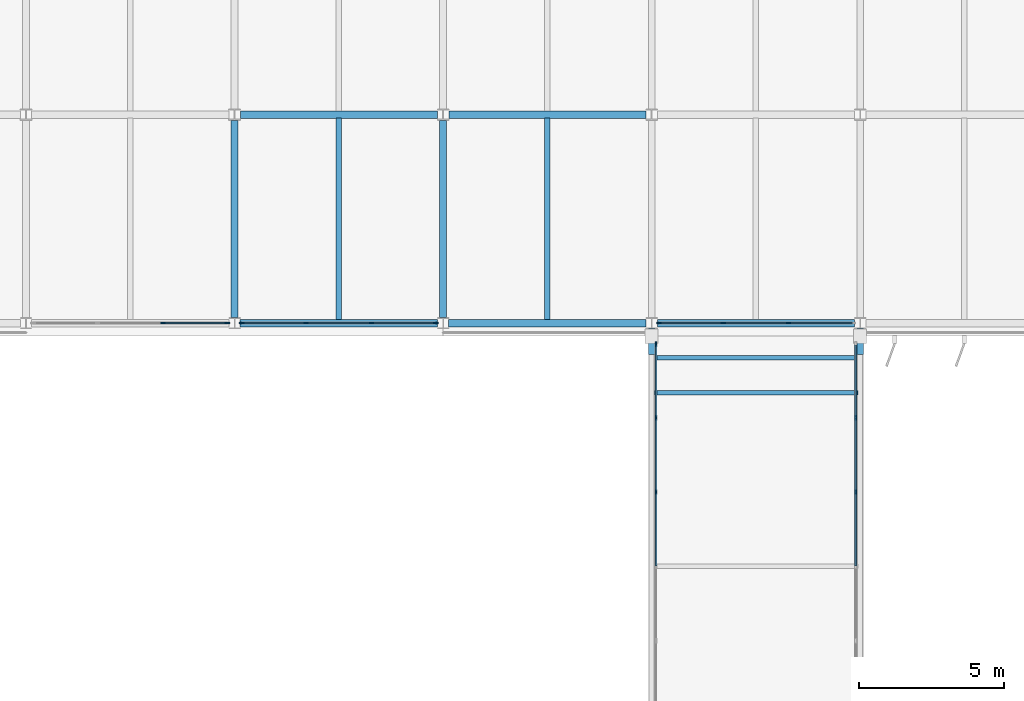
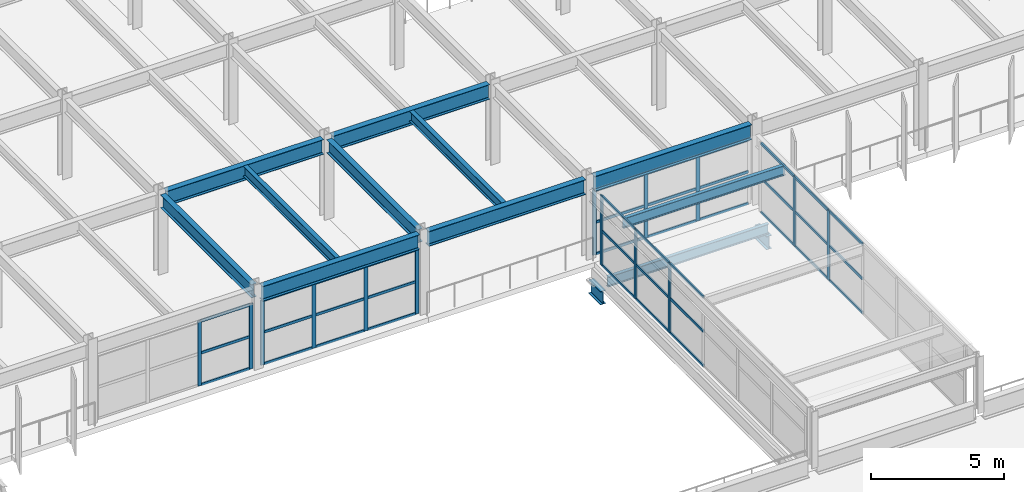
# One storey, part 27 of 93: 53 members, 13 beams, 5 elements without a shape of their own.
"""IFC4 building model written with IfcOpenShell, lengths in metres."""

import ifcopenshell
import ifcopenshell.guid

model = None  # the IFC model being written
_history = None  # IfcOwnerHistory: only IFC2X3 demands one
_inside = {}  # id of a spatial element -> (the spatial element, [elements in it])
_under = {}  # id of a project, library or spatial element -> (it, [spatial elements below it])
_declared = {}  # id of a project -> (the project, [libraries it declares])
_typed = {}  # id of a type object -> (the type object, [elements of that type])
_made_of = {}  # id of a material, layer set ... -> (it, [elements and type objects made of it])


def new_model(schema):
    """Start an empty IFC model of exactly this schema.

    Asked for "IFC4X3", IfcOpenShell would pick the latest addendum, in which some entities
    have other attributes; the version numbers below select the first issue.
    IFC2X3 requires an IfcOwnerHistory on every rooted entity: one is made here for all.
    """
    global model, _history
    if schema == "IFC4X3":
        model = ifcopenshell.file(schema_version=(4, 3, 0, 0))
    else:
        model = ifcopenshell.file(schema=schema)
    _inside.clear()
    _under.clear()
    _declared.clear()
    _typed.clear()
    _made_of.clear()
    _history = None
    if model.schema == "IFC2X3":
        org = make("IfcOrganization", Name="unknown")
        user = make(
            "IfcPersonAndOrganization",
            ThePerson=make("IfcPerson", FamilyName="unknown"),
            TheOrganization=org,
        )
        app = make(
            "IfcApplication",
            ApplicationDeveloper=org,
            Version="unknown",
            ApplicationFullName="unknown",
            ApplicationIdentifier="unknown",
        )
        _history = make(
            "IfcOwnerHistory",
            OwningUser=user,
            OwningApplication=app,
            ChangeAction="ADDED",
            CreationDate=0,
        )
    return model


def make(cls, **values):
    """One entity of the class cls with the attributes given. An attribute that is None is left unset."""
    return model.create_entity(
        cls, **{name: value for name, value in values.items() if value is not None}
    )


def rooted(cls, **values):
    """An entity with a GlobalId (a new one), such as an element, a storey or a relation."""
    return make(cls, GlobalId=ifcopenshell.guid.new(), OwnerHistory=_history, **values)


def si_unit(unit_type, name, prefix=None):
    """IfcSIUnit, for example si_unit("LENGTHUNIT", "METRE", prefix="MILLI")."""
    return make("IfcSIUnit", UnitType=unit_type, Prefix=prefix, Name=name)


def assignment(units):
    """IfcUnitAssignment: the units of a project."""
    return None if units is None else make("IfcUnitAssignment", Units=units)


def point(xyz):
    """IfcCartesianPoint."""
    return None if xyz is None else make("IfcCartesianPoint", Coordinates=xyz)


def direction(xyz):
    """IfcDirection."""
    return None if xyz is None else make("IfcDirection", DirectionRatios=xyz)


def frame(location, z_axis=None, x_axis=None):
    """IfcAxis2Placement3D, a coordinate frame: its origin and axes. An axis left out is left unset."""
    return make(
        "IfcAxis2Placement3D",
        Location=point(location),
        Axis=direction(z_axis),
        RefDirection=direction(x_axis),
    )


def frame_2d(location, x_axis=None):
    """IfcAxis2Placement2D, a coordinate frame in the plane: its origin and x axis."""
    return make(
        "IfcAxis2Placement2D", Location=point(location), RefDirection=direction(x_axis)
    )


def origin():
    """The frame at (0, 0, 0) with its axes left unset."""
    return frame((0.0, 0.0, 0.0))


def origin_2d():
    """The frame at (0, 0) in the plane with its x axis left unset."""
    return frame_2d((0.0, 0.0))


def place(relative_to, where):
    """IfcLocalPlacement: puts the frame where relative to a parent placement (None: the world)."""
    return make(
        "IfcLocalPlacement", PlacementRelTo=relative_to, RelativePlacement=where
    )


def context(
    kind, dimensions, precision=None, world=None, true_north=None, identifier=None
):
    """IfcGeometricRepresentationContext, for example the 3D "Model" context."""
    return make(
        "IfcGeometricRepresentationContext",
        ContextIdentifier=identifier,
        ContextType=kind,
        CoordinateSpaceDimension=dimensions,
        Precision=precision,
        WorldCoordinateSystem=world,
        TrueNorth=true_north,
    )


def subcontext(parent, identifier, kind, view, scale=None):
    """IfcGeometricRepresentationSubContext, for example "Body" below "Model"."""
    return make(
        "IfcGeometricRepresentationSubContext",
        ContextIdentifier=identifier,
        ContextType=kind,
        ParentContext=parent,
        TargetScale=scale,
        TargetView=view,
    )


def project(units=None, contexts=None):
    """IfcProject with its units and contexts."""
    return rooted(
        "IfcProject",
        Name="project",
        RepresentationContexts=contexts,
        UnitsInContext=assignment(units),
    )


def spatial(cls, under=None, at=None, **own):
    """A site, building, storey or space (cls), placed at a placement, below another one or the project."""
    s = rooted(cls, ObjectPlacement=at, **own)
    if under is not None:
        _under.setdefault(under.id(), (under, []))[1].append(s)
    return s


def profile(cls, at=None, kind="AREA", **sizes):
    """A parametric profile (cls). Its sizes go by their IFC names, for example OverallWidth=200.0."""
    return make(cls, ProfileType=kind, Position=at, **sizes)


def rectangle(**sizes):
    """IfcRectangleProfileDef."""
    return profile("IfcRectangleProfileDef", **sizes)


def i_section(**sizes):
    """IfcIShapeProfileDef."""
    return profile("IfcIShapeProfileDef", **sizes)


def extrude(swept, where, along, depth):
    """IfcExtrudedAreaSolid: the profile swept, set in the frame where, extruded along a direction by depth."""
    return make(
        "IfcExtrudedAreaSolid",
        SweptArea=swept,
        Position=where,
        ExtrudedDirection=direction(along),
        Depth=depth,
    )


def shape(context_of_items, identifier, shape_type, items):
    """IfcShapeRepresentation: the items that make up one representation, for example the "Body"."""
    return make(
        "IfcShapeRepresentation",
        ContextOfItems=context_of_items,
        RepresentationIdentifier=identifier,
        RepresentationType=shape_type,
        Items=items,
    )


def material(Name=None, Category=None):
    """IfcMaterial."""
    return make("IfcMaterial", Name=Name, Category=Category)


def material_profile(
    of_material, cross_section, Name=None, Category=None, Priority=None
):
    """IfcMaterialProfile: a cross section and its material."""
    return make(
        "IfcMaterialProfile",
        Name=Name,
        Material=of_material,
        Profile=cross_section,
        Priority=Priority,
        Category=Category,
    )


def profile_set(profiles, Name=None, composite=None):
    """IfcMaterialProfileSet."""
    return make(
        "IfcMaterialProfileSet",
        Name=Name,
        MaterialProfiles=profiles,
        CompositeProfile=composite,
    )


def made_of(thing, what):
    """Note that an element or type object is made of a material, layer set ...; save() writes the relation."""
    if what is not None:
        _made_of.setdefault(what.id(), (what, []))[1].append(thing)
    return thing


def type_object(cls, material=None, **own):
    """A type object (cls), such as IfcWallType, which elements share."""
    return made_of(rooted(cls, **own), material)


def element(
    cls,
    number,
    at=None,
    inside=None,
    cuts=None,
    type_object=None,
    material=None,
    context=None,
    identifier="Body",
    shape_type=None,
    held_by="IfcProductDefinitionShape",
    body=None,
    shapes=None,
    **own,
):
    """One element of the class cls, such as IfcWall. Its Tag is "e" and its number.

    at: its placement. inside: the storey or other place that contains it. cuts: it is an
    opening in that element (IfcRelVoidsElement). A single representation is given by context,
    identifier, shape_type and body (its items); several are given by shapes. held_by: the class
    of the entity that holds the representations. save() writes the other relations.
    """
    e = rooted(cls, Tag="e%d" % number, ObjectPlacement=at, **own)
    if body is not None:
        shapes = [shape(context, identifier, shape_type, body)]
    if shapes is not None:
        e.Representation = make(held_by, Representations=shapes)
    if inside is not None:
        _inside.setdefault(inside.id(), (inside, []))[1].append(e)
    if cuts is not None:
        rooted(
            "IfcRelVoidsElement", RelatingBuildingElement=cuts, RelatedOpeningElement=e
        )
    if type_object is not None:
        _typed.setdefault(type_object.id(), (type_object, []))[1].append(e)
    return made_of(e, material)


def aggregate(whole, parts):
    """IfcRelAggregates: a whole, such as a stair, and the parts it consists of."""
    return rooted("IfcRelAggregates", RelatingObject=whole, RelatedObjects=parts)


def save(model, path):
    """Write the relations noted so far, then the file.

    IfcRelAggregates (storeys below a building ...), IfcRelContainedInSpatialStructure (elements
    in a storey), IfcRelDefinesByType, IfcRelAssociatesMaterial and IfcRelDeclares: one each for
    every whole, place, type object, material and project.
    """
    for whole, parts in _under.values():
        aggregate(whole, parts)
    for where, things in _inside.values():
        rooted(
            "IfcRelContainedInSpatialStructure",
            RelatedElements=things,
            RelatingStructure=where,
        )
    for kind, things in _typed.values():
        rooted("IfcRelDefinesByType", RelatedObjects=things, RelatingType=kind)
    for what, things in _made_of.values():
        rooted("IfcRelAssociatesMaterial", RelatedObjects=things, RelatingMaterial=what)
    for by, libraries in _declared.values():
        rooted("IfcRelDeclares", RelatingContext=by, RelatedDefinitions=libraries)
    model.write(path)


model = new_model("IFC4")

# Units and contexts
model_context = context("Model", 3, precision=1e-05, world=origin(), true_north=direction((0.0, 1.0)))
body_context = subcontext(model_context, "Body", "Model", "MODEL_VIEW")
ifc_project = project(units=[si_unit("LENGTHUNIT", "METRE"), si_unit("AREAUNIT", "SQUARE_METRE"), si_unit("VOLUMEUNIT", "CUBIC_METRE"), si_unit("PLANEANGLEUNIT", "RADIAN"), si_unit("MASSUNIT", "GRAM", prefix="KILO")], contexts=[model_context])

# Site, building, storey
site_placement = place(None, origin())
site = spatial("IfcSite", under=ifc_project, at=site_placement, CompositionType="ELEMENT")
building_placement = place(site_placement, origin())
building = spatial("IfcBuilding", under=site, at=building_placement, Name="Vaelcorin Mobility Hub", CompositionType="ELEMENT")
storey_placement = place(building_placement, frame((0.0, 0.0, 5.39990234375)))
storey = spatial("IfcBuildingStorey", under=building, at=storey_placement, Name="L01", CompositionType="ELEMENT", Elevation=5.39990234375)

# Beams
ifc_material_1 = material(Name="Steel ASTM A992 Grade 50", Category="steel")
ifc_material_profile_1 = material_profile(ifc_material_1, i_section(OverallWidth=0.152099609375, OverallDepth=0.455078125, WebThickness=0.008056640625, FlangeThickness=0.01318359375, FilletRadius=0.012939453125, at=origin_2d()), Name="W18X40")
ifc_profile_set_1 = profile_set([ifc_material_profile_1], Name="Steel ASTM A992 Grade 50")
beam_type_1 = type_object("IfcBeamType", Name="BM-W18X40", PredefinedType="JOIST", material=ifc_profile_set_1)
beam_1_placement = place(storey_placement, frame((86.511962890625, 75.60009765625, -0.447998046875), z_axis=(1.0, 0.0, 0.0), x_axis=(0.0, 1.0, 0.0)))
element("IfcBeam", 1, at=beam_1_placement, inside=storey, type_object=beam_type_1, Name="Link Bridge Floor Cross Beam LB2-BX-3", PredefinedType="JOIST", context=body_context, shape_type="SweptSolid", body=[
    extrude(i_section(OverallWidth=0.152099609375, OverallDepth=0.455078125, WebThickness=0.008056640625, FlangeThickness=0.01318359375, FilletRadius=0.012939453125, at=origin_2d()), origin(), (0.0, 0.0, 1.0), 6.97607421875),
])
beam_2_placement = place(storey_placement, frame((86.48095703125, 74.39990234375, 2.97216796875), z_axis=(1.0, 0.0, 0.0), x_axis=(0.0, 1.0, 0.0)))
element("IfcBeam", 2, at=beam_2_placement, inside=storey, type_object=beam_type_1, Name="L01 Beam LB2-RFX-3", PredefinedType="JOIST", context=body_context, shape_type="SweptSolid", body=[
    extrude(i_section(OverallWidth=0.152099609375, OverallDepth=0.455078125, WebThickness=0.008056640625, FlangeThickness=0.01318359375, FilletRadius=0.012939453125, at=origin_2d()), origin(), (0.0, 0.0, 1.0), 7.0380859375),
])
ifc_material_profile_2 = material_profile(ifc_material_1, i_section(OverallWidth=0.19189453125, OverallDepth=0.4619140625, WebThickness=0.010498046875, FlangeThickness=0.017578125, FilletRadius=0.012939453125, at=origin_2d()), Name="W18X60")
ifc_profile_set_2 = profile_set([ifc_material_profile_2], Name="Steel ASTM A992 Grade 50")
beam_type_2 = type_object("IfcBeamType", Name="BM-W18X60", PredefinedType="JOIST", material=ifc_profile_set_2)
for number, where, z_axis, x_axis, name in (
    (3, (75.60009765625, 76.925048828125, 3.439208984375), (0.0, 1.0, 0.0), (-1.0, 0.0, 0.0), "L01 Beam V4-L01-J-06-01-1"),
    (4, (82.800048828125, 76.925048828125, 3.439208984375), (0.0, 1.0, 0.0), (-1.0, 0.0, 0.0), "L01 Beam V4-L01-J-07-01-1"),
):
    element("IfcBeam", number, at=place(storey_placement, frame(where, z_axis=z_axis, x_axis=x_axis)), inside=storey, type_object=beam_type_2, Name=name, PredefinedType="JOIST", context=body_context, shape_type="SweptSolid", body=[
        extrude(i_section(OverallWidth=0.19189453125, OverallDepth=0.4619140625, WebThickness=0.010498046875, FlangeThickness=0.017578125, FilletRadius=0.012939453125, at=origin_2d()), origin(), (0.0, 0.0, 1.0), 6.949951171875),
    ])
ifc_material_profile_3 = material_profile(ifc_material_1, i_section(OverallWidth=0.22900390625, OverallDepth=0.612060546875, WebThickness=0.011962890625, FlangeThickness=0.01953125, FilletRadius=0.014892578125, at=origin_2d()), Name="W24X84")
ifc_profile_set_3 = profile_set([ifc_material_profile_3], Name="Steel ASTM A992 Grade 50")
beam_type_3 = type_object("IfcBeamType", Name="BM-W24X84", PredefinedType="BEAM", material=ifc_profile_set_3)
for number, where, z_axis, x_axis, name in (
    (5, (72.0, 76.988037109375, 3.364013671875), (0.0, 1.0, 0.0), (-1.0, 0.0, 0.0), "L01 Beam V4-L01-GY-06-01"),
    (6, (79.199951171875, 76.988037109375, 3.364013671875), (0.0, 1.0, 0.0), (-1.0, 0.0, 0.0), "L01 Beam V4-L01-GY-07-01"),
):
    element("IfcBeam", number, at=place(storey_placement, frame(where, z_axis=z_axis, x_axis=x_axis)), inside=storey, type_object=beam_type_3, Name=name, PredefinedType="BEAM", context=body_context, shape_type="SweptSolid", body=[
        extrude(i_section(OverallWidth=0.22900390625, OverallDepth=0.612060546875, WebThickness=0.011962890625, FlangeThickness=0.01953125, FilletRadius=0.014892578125, at=origin_2d()), origin(), (0.0, 0.0, 1.0), 6.81689453125),
    ])
for number, where, z_axis, x_axis, name in (
    (7, (86.39990234375, 76.610107421875, -1.218017578125), (0.0, -1.0, 0.0), (1.0, 0.0, 0.0), "Link Bridge 900mm Bearing Seat Corbel LB2-W"),
    (8, (93.60009765625, 76.610107421875, -1.218017578125), (0.0, -1.0, 0.0), (1.0, 0.0, 0.0), "Link Bridge 900mm Bearing Seat Corbel LB2-E"),
):
    element("IfcBeam", number, at=place(storey_placement, frame(where, z_axis=z_axis, x_axis=x_axis)), inside=storey, type_object=beam_type_3, Name=name, PredefinedType="BEAM", context=body_context, shape_type="SweptSolid", body=[
        extrude(i_section(OverallWidth=0.22900390625, OverallDepth=0.612060546875, WebThickness=0.011962890625, FlangeThickness=0.01953125, FilletRadius=0.014892578125, at=origin_2d()), origin(), (0.0, 0.0, 1.0), 0.900146484375),
    ])
ifc_material_profile_4 = material_profile(ifc_material_1, i_section(OverallWidth=0.25390625, OverallDepth=0.68310546875, WebThickness=0.012451171875, FlangeThickness=0.018798828125, FilletRadius=0.01611328125, at=origin_2d()), Name="W27X94")
ifc_profile_set_4 = profile_set([ifc_material_profile_4], Name="Steel ASTM A992 Grade 50")
beam_type_4 = type_object("IfcBeamType", Name="BM-W27X94", PredefinedType="BEAM", material=ifc_profile_set_4)
beam_3_placement = place(storey_placement, frame((72.196044921875, 76.800048828125, 3.328125), z_axis=(1.0, 0.0, 0.0), x_axis=(0.0, 1.0, 0.0)))
element("IfcBeam", 9, at=beam_3_placement, inside=storey, type_object=beam_type_4, Name="L01 Beam V4-L01-GX-01-06", PredefinedType="BEAM", context=body_context, shape_type="SweptSolid", body=[
    extrude(i_section(OverallWidth=0.25390625, OverallDepth=0.68310546875, WebThickness=0.012451171875, FlangeThickness=0.018798828125, FilletRadius=0.01611328125, at=origin_2d()), origin(), (0.0, 0.0, 1.0), 6.807861328125),
])
for number, where, z_axis, x_axis, name in (
    (10, (79.39599609375, 76.800048828125, 3.328125), (1.0, 0.0, 0.0), (0.0, 1.0, 0.0), "L01 Beam V4-L01-GX-01-07"),
    (11, (86.595947265625, 76.800048828125, 3.328125), (1.0, 0.0, 0.0), (0.0, 1.0, 0.0), "L01 Beam V4-L01-GX-01-08"),
):
    element("IfcBeam", number, at=place(storey_placement, frame(where, z_axis=z_axis, x_axis=x_axis)), inside=storey, type_object=beam_type_4, Name=name, PredefinedType="BEAM", context=body_context, shape_type="SweptSolid", body=[
        extrude(i_section(OverallWidth=0.25390625, OverallDepth=0.68310546875, WebThickness=0.012451171875, FlangeThickness=0.018798828125, FilletRadius=0.01611328125, at=origin_2d()), origin(), (0.0, 0.0, 1.0), 6.80810546875),
    ])
for number, where, z_axis, x_axis, name in (
    (12, (72.197998046875, 84.0, 3.328125), (1.0, 0.0, 0.0), (0.0, 1.0, 0.0), "L01 Beam V4-L01-GX-02-06"),
    (13, (79.39794921875, 84.0, 3.328125), (1.0, 0.0, 0.0), (0.0, 1.0, 0.0), "L01 Beam V4-L01-GX-02-07"),
):
    element("IfcBeam", number, at=place(storey_placement, frame(where, z_axis=z_axis, x_axis=x_axis)), inside=storey, type_object=beam_type_4, Name=name, PredefinedType="BEAM", context=body_context, shape_type="SweptSolid", body=[
        extrude(i_section(OverallWidth=0.25390625, OverallDepth=0.68310546875, WebThickness=0.012451171875, FlangeThickness=0.018798828125, FilletRadius=0.01611328125, at=origin_2d()), origin(), (0.0, 0.0, 1.0), 6.803955078125),
    ])

# Curtain wall, members
ifc_material_2 = material(Name="Anodised aluminium 6063-T6", Category="aluminium")
curtain_wall_type_1 = type_object("IfcCurtainWallType", Name="CW-MOB-A", PredefinedType="NOTDEFINED", material=ifc_material_2)
curtain_wall_1_placement = place(storey_placement, origin())
curtain_wall_1 = element("IfcCurtainWall", 14, at=curtain_wall_1_placement, inside=storey, type_object=curtain_wall_type_1, Name="L01 Curtain Wall CW-V4-L01-S-05", PredefinedType="NOTDEFINED")
ifc_material_profile_5 = material_profile(ifc_material_2, rectangle(XDim=0.06005859375, YDim=0.159912109375, at=origin_2d()), Name="ALU-M60X160")
ifc_profile_set_5 = profile_set([ifc_material_profile_5], Name="Anodised aluminium 6063-T6")
member_type_1 = type_object("IfcMemberType", Name="CW-MULL-160", PredefinedType="MULLION", material=ifc_profile_set_5)
member_1_placement = place(storey_placement, frame((71.75, 76.800048828125, 0.0), z_axis=(0.0, 0.0, 1.0), x_axis=(0.0, -1.0, 0.0)))
member_1 = element("IfcMember", 15, at=member_1_placement, type_object=member_type_1, Name="CW7 mullion 1", PredefinedType="MULLION", context=body_context, shape_type="SweptSolid", body=[
    extrude(rectangle(XDim=0.06005859375, YDim=0.159912109375, at=origin_2d()), origin(), (0.0, 0.0, 1.0), 2.97216796875),
])
member_2_placement = place(storey_placement, frame((69.526611328125, 76.800048828125, 0.0), z_axis=(0.0, 0.0, 1.0), x_axis=(0.0, -1.0, 0.0)))
member_2 = element("IfcMember", 16, at=member_2_placement, type_object=member_type_1, Name="CW7 mullion 2", PredefinedType="MULLION", context=body_context, shape_type="SweptSolid", body=[
    extrude(rectangle(XDim=0.06005859375, YDim=0.159912109375, at=origin_2d()), origin(), (0.0, 0.0, 1.0), 2.97216796875),
])

curtain_wall_2_placement = place(storey_placement, origin())
curtain_wall_2 = element("IfcCurtainWall", 17, at=curtain_wall_2_placement, inside=storey, type_object=curtain_wall_type_1, Name="L01 Curtain Wall CW-V4-L01-S-06", PredefinedType="NOTDEFINED")
member_3_placement = place(storey_placement, frame((78.949951171875, 76.800048828125, 0.0), z_axis=(0.0, 0.0, 1.0), x_axis=(0.0, -1.0, 0.0)))
member_3 = element("IfcMember", 18, at=member_3_placement, type_object=member_type_1, Name="CW7 mullion 1", PredefinedType="MULLION", context=body_context, shape_type="SweptSolid", body=[
    extrude(rectangle(XDim=0.06005859375, YDim=0.159912109375, at=origin_2d()), origin(), (0.0, 0.0, 1.0), 2.97216796875),
])
member_4_placement = place(storey_placement, frame((76.7265625, 76.800048828125, 0.0), z_axis=(0.0, 0.0, 1.0), x_axis=(0.0, -1.0, 0.0)))
member_4 = element("IfcMember", 19, at=member_4_placement, type_object=member_type_1, Name="CW7 mullion 2", PredefinedType="MULLION", context=body_context, shape_type="SweptSolid", body=[
    extrude(rectangle(XDim=0.06005859375, YDim=0.159912109375, at=origin_2d()), origin(), (0.0, 0.0, 1.0), 2.97216796875),
])
member_5_placement = place(storey_placement, frame((74.473388671875, 76.800048828125, 0.0), z_axis=(0.0, 0.0, 1.0), x_axis=(0.0, -1.0, 0.0)))
member_5 = element("IfcMember", 20, at=member_5_placement, type_object=member_type_1, Name="CW7 mullion 3", PredefinedType="MULLION", context=body_context, shape_type="SweptSolid", body=[
    extrude(rectangle(XDim=0.06005859375, YDim=0.159912109375, at=origin_2d()), origin(), (0.0, 0.0, 1.0), 2.97216796875),
])
member_6_placement = place(storey_placement, frame((72.25, 76.800048828125, 0.0), z_axis=(0.0, 0.0, 1.0), x_axis=(0.0, -1.0, 0.0)))
member_6 = element("IfcMember", 21, at=member_6_placement, type_object=member_type_1, Name="CW7 mullion 4", PredefinedType="MULLION", context=body_context, shape_type="SweptSolid", body=[
    extrude(rectangle(XDim=0.06005859375, YDim=0.159912109375, at=origin_2d()), origin(), (0.0, 0.0, 1.0), 2.97216796875),
])

curtain_wall_3_placement = place(storey_placement, origin())
curtain_wall_3 = element("IfcCurtainWall", 22, at=curtain_wall_3_placement, inside=storey, type_object=curtain_wall_type_1, Name="L01 Curtain Wall CW-V4-L01-S-08", PredefinedType="NOTDEFINED")
member_7_placement = place(storey_placement, frame((91.126708984375, 76.800048828125, 0.0), z_axis=(0.0, 0.0, 1.0), x_axis=(0.0, -1.0, 0.0)))
member_7 = element("IfcMember", 23, at=member_7_placement, type_object=member_type_1, Name="CW7 mullion 2", PredefinedType="MULLION", context=body_context, shape_type="SweptSolid", body=[
    extrude(rectangle(XDim=0.06005859375, YDim=0.159912109375, at=origin_2d()), origin(), (0.0, 0.0, 1.0), 2.97216796875),
])
member_8_placement = place(storey_placement, frame((88.873291015625, 76.800048828125, 0.0), z_axis=(0.0, 0.0, 1.0), x_axis=(0.0, -1.0, 0.0)))
member_8 = element("IfcMember", 24, at=member_8_placement, type_object=member_type_1, Name="CW7 mullion 3", PredefinedType="MULLION", context=body_context, shape_type="SweptSolid", body=[
    extrude(rectangle(XDim=0.06005859375, YDim=0.159912109375, at=origin_2d()), origin(), (0.0, 0.0, 1.0), 2.97216796875),
])
member_9_placement = place(storey_placement, frame((86.64990234375, 76.800048828125, 0.0), z_axis=(0.0, 0.0, 1.0), x_axis=(0.0, -1.0, 0.0)))
member_9 = element("IfcMember", 25, at=member_9_placement, type_object=member_type_1, Name="CW7 mullion 4", PredefinedType="MULLION", context=body_context, shape_type="SweptSolid", body=[
    extrude(rectangle(XDim=0.06005859375, YDim=0.159912109375, at=origin_2d()), origin(), (0.0, 0.0, 1.0), 2.97216796875),
])

curtain_wall_type_2 = type_object("IfcCurtainWallType", Name="CW-BRG-A", PredefinedType="NOTDEFINED", material=ifc_material_2)
curtain_wall_4_placement = place(storey_placement, origin())
curtain_wall_4 = element("IfcCurtainWall", 26, at=curtain_wall_4_placement, inside=storey, type_object=curtain_wall_type_2, Name="L01 Curtain Wall CW-LB2-W", PredefinedType="NOTDEFINED")
member_10_placement = place(storey_placement, frame((86.550048828125, 70.966552734375, 0.0), z_axis=(0.0, 0.0, 1.0), x_axis=(-1.0, 0.0, 0.0)))
member_10 = element("IfcMember", 27, at=member_10_placement, type_object=member_type_1, Name="CW8 mullion 5", PredefinedType="MULLION", context=body_context, shape_type="SweptSolid", body=[
    extrude(rectangle(XDim=0.06005859375, YDim=0.159912109375, at=origin_2d()), origin(), (0.0, 0.0, 1.0), 3.2001953125),
])
member_11_placement = place(storey_placement, frame((86.550048828125, 73.533447265625, 0.0), z_axis=(0.0, 0.0, 1.0), x_axis=(-1.0, 0.0, 0.0)))
member_11 = element("IfcMember", 28, at=member_11_placement, type_object=member_type_1, Name="CW8 mullion 6", PredefinedType="MULLION", context=body_context, shape_type="SweptSolid", body=[
    extrude(rectangle(XDim=0.06005859375, YDim=0.159912109375, at=origin_2d()), origin(), (0.0, 0.0, 1.0), 3.2001953125),
])
member_12_placement = place(storey_placement, frame((86.550048828125, 76.070068359375, 0.0), z_axis=(0.0, 0.0, 1.0), x_axis=(-1.0, 0.0, 0.0)))
member_12 = element("IfcMember", 29, at=member_12_placement, type_object=member_type_1, Name="CW8 mullion 7", PredefinedType="MULLION", context=body_context, shape_type="SweptSolid", body=[
    extrude(rectangle(XDim=0.06005859375, YDim=0.159912109375, at=origin_2d()), origin(), (0.0, 0.0, 1.0), 3.2001953125),
])

curtain_wall_5_placement = place(storey_placement, origin())
curtain_wall_5 = element("IfcCurtainWall", 30, at=curtain_wall_5_placement, inside=storey, type_object=curtain_wall_type_2, Name="L01 Curtain Wall CW-LB2-E", PredefinedType="NOTDEFINED")
member_13_placement = place(storey_placement, frame((93.449951171875, 73.533447265625, 0.0), z_axis=(0.0, 0.0, 1.0), x_axis=(1.0, 0.0, 0.0)))
member_13 = element("IfcMember", 31, at=member_13_placement, type_object=member_type_1, Name="CW8 mullion 2", PredefinedType="MULLION", context=body_context, shape_type="SweptSolid", body=[
    extrude(rectangle(XDim=0.06005859375, YDim=0.159912109375, at=origin_2d()), origin(), (0.0, 0.0, 1.0), 3.2001953125),
])
member_14_placement = place(storey_placement, frame((93.449951171875, 70.966552734375, 0.0), z_axis=(0.0, 0.0, 1.0), x_axis=(1.0, 0.0, 0.0)))
member_14 = element("IfcMember", 32, at=member_14_placement, type_object=member_type_1, Name="CW8 mullion 3", PredefinedType="MULLION", context=body_context, shape_type="SweptSolid", body=[
    extrude(rectangle(XDim=0.06005859375, YDim=0.159912109375, at=origin_2d()), origin(), (0.0, 0.0, 1.0), 3.2001953125),
])

# Member
ifc_material_profile_6 = material_profile(ifc_material_2, rectangle(XDim=0.06005859375, YDim=0.1201171875, at=origin_2d()), Name="ALU-T60X120")
ifc_profile_set_6 = profile_set([ifc_material_profile_6], Name="Anodised aluminium 6063-T6")
member_type_2 = type_object("IfcMemberType", Name="CW-TRAN-140", PredefinedType="USERDEFINED", material=ifc_profile_set_6)
member_15_placement = place(storey_placement, frame((71.719970703125, 76.800048828125, 0.030029296875), z_axis=(-1.0, 0.0, 0.0), x_axis=(0.0, -1.0, 0.0)))
member_15 = element("IfcMember", 33, at=member_15_placement, type_object=member_type_2, Name="CW7 transom 1.1", ObjectType="TRANSOM", PredefinedType="USERDEFINED", context=body_context, shape_type="SweptSolid", body=[
    extrude(rectangle(XDim=0.06005859375, YDim=0.1201171875, at=origin_2d()), origin(), (0.0, 0.0, 1.0), 2.163330078125),
])

member_16_placement = place(storey_placement, frame((71.719970703125, 76.800048828125, 1.486083984375), z_axis=(-1.0, 0.0, 0.0), x_axis=(0.0, -1.0, 0.0)))
member_16 = element("IfcMember", 34, at=member_16_placement, type_object=member_type_2, Name="CW7 transom 1.2", ObjectType="TRANSOM", PredefinedType="USERDEFINED", context=body_context, shape_type="SweptSolid", body=[
    extrude(rectangle(XDim=0.06005859375, YDim=0.1201171875, at=origin_2d()), origin(), (0.0, 0.0, 1.0), 2.163330078125),
])

member_17_placement = place(storey_placement, frame((71.719970703125, 76.800048828125, 2.942138671875), z_axis=(-1.0, 0.0, 0.0), x_axis=(0.0, -1.0, 0.0)))
member_17 = element("IfcMember", 35, at=member_17_placement, type_object=member_type_2, Name="CW7 transom 1.3", ObjectType="TRANSOM", PredefinedType="USERDEFINED", context=body_context, shape_type="SweptSolid", body=[
    extrude(rectangle(XDim=0.06005859375, YDim=0.1201171875, at=origin_2d()), origin(), (0.0, 0.0, 1.0), 2.163330078125),
])

aggregate(curtain_wall_1, [member_1, member_2, member_15, member_16, member_17])

member_18_placement = place(storey_placement, frame((78.919921875, 76.800048828125, 0.030029296875), z_axis=(-1.0, 0.0, 0.0), x_axis=(0.0, -1.0, 0.0)))
member_18 = element("IfcMember", 36, at=member_18_placement, type_object=member_type_2, Name="CW7 transom 1.1", ObjectType="TRANSOM", PredefinedType="USERDEFINED", context=body_context, shape_type="SweptSolid", body=[
    extrude(rectangle(XDim=0.06005859375, YDim=0.1201171875, at=origin_2d()), origin(), (0.0, 0.0, 1.0), 2.163330078125),
])

member_19_placement = place(storey_placement, frame((78.919921875, 76.800048828125, 1.486083984375), z_axis=(-1.0, 0.0, 0.0), x_axis=(0.0, -1.0, 0.0)))
member_19 = element("IfcMember", 37, at=member_19_placement, type_object=member_type_2, Name="CW7 transom 1.2", ObjectType="TRANSOM", PredefinedType="USERDEFINED", context=body_context, shape_type="SweptSolid", body=[
    extrude(rectangle(XDim=0.06005859375, YDim=0.1201171875, at=origin_2d()), origin(), (0.0, 0.0, 1.0), 2.163330078125),
])

member_20_placement = place(storey_placement, frame((78.919921875, 76.800048828125, 2.942138671875), z_axis=(-1.0, 0.0, 0.0), x_axis=(0.0, -1.0, 0.0)))
member_20 = element("IfcMember", 38, at=member_20_placement, type_object=member_type_2, Name="CW7 transom 1.3", ObjectType="TRANSOM", PredefinedType="USERDEFINED", context=body_context, shape_type="SweptSolid", body=[
    extrude(rectangle(XDim=0.06005859375, YDim=0.1201171875, at=origin_2d()), origin(), (0.0, 0.0, 1.0), 2.163330078125),
])

member_21_placement = place(storey_placement, frame((76.69677734375, 76.800048828125, 0.030029296875), z_axis=(-1.0, 0.0, 0.0), x_axis=(0.0, -1.0, 0.0)))
member_21 = element("IfcMember", 39, at=member_21_placement, type_object=member_type_2, Name="CW7 transom 2.1", ObjectType="TRANSOM", PredefinedType="USERDEFINED", context=body_context, shape_type="SweptSolid", body=[
    extrude(rectangle(XDim=0.06005859375, YDim=0.1201171875, at=origin_2d()), origin(), (0.0, 0.0, 1.0), 2.193359375),
])

member_22_placement = place(storey_placement, frame((76.69677734375, 76.800048828125, 1.486083984375), z_axis=(-1.0, 0.0, 0.0), x_axis=(0.0, -1.0, 0.0)))
member_22 = element("IfcMember", 40, at=member_22_placement, type_object=member_type_2, Name="CW7 transom 2.2", ObjectType="TRANSOM", PredefinedType="USERDEFINED", context=body_context, shape_type="SweptSolid", body=[
    extrude(rectangle(XDim=0.06005859375, YDim=0.1201171875, at=origin_2d()), origin(), (0.0, 0.0, 1.0), 2.193359375),
])

member_23_placement = place(storey_placement, frame((76.69677734375, 76.800048828125, 2.942138671875), z_axis=(-1.0, 0.0, 0.0), x_axis=(0.0, -1.0, 0.0)))
member_23 = element("IfcMember", 41, at=member_23_placement, type_object=member_type_2, Name="CW7 transom 2.3", ObjectType="TRANSOM", PredefinedType="USERDEFINED", context=body_context, shape_type="SweptSolid", body=[
    extrude(rectangle(XDim=0.06005859375, YDim=0.1201171875, at=origin_2d()), origin(), (0.0, 0.0, 1.0), 2.193359375),
])

member_24_placement = place(storey_placement, frame((74.443359375, 76.800048828125, 0.030029296875), z_axis=(-1.0, 0.0, 0.0), x_axis=(0.0, -1.0, 0.0)))
member_24 = element("IfcMember", 42, at=member_24_placement, type_object=member_type_2, Name="CW7 transom 3.1", ObjectType="TRANSOM", PredefinedType="USERDEFINED", context=body_context, shape_type="SweptSolid", body=[
    extrude(rectangle(XDim=0.06005859375, YDim=0.1201171875, at=origin_2d()), origin(), (0.0, 0.0, 1.0), 2.163330078125),
])

member_25_placement = place(storey_placement, frame((74.443359375, 76.800048828125, 1.486083984375), z_axis=(-1.0, 0.0, 0.0), x_axis=(0.0, -1.0, 0.0)))
member_25 = element("IfcMember", 43, at=member_25_placement, type_object=member_type_2, Name="CW7 transom 3.2", ObjectType="TRANSOM", PredefinedType="USERDEFINED", context=body_context, shape_type="SweptSolid", body=[
    extrude(rectangle(XDim=0.06005859375, YDim=0.1201171875, at=origin_2d()), origin(), (0.0, 0.0, 1.0), 2.163330078125),
])

member_26_placement = place(storey_placement, frame((74.443359375, 76.800048828125, 2.942138671875), z_axis=(-1.0, 0.0, 0.0), x_axis=(0.0, -1.0, 0.0)))
member_26 = element("IfcMember", 44, at=member_26_placement, type_object=member_type_2, Name="CW7 transom 3.3", ObjectType="TRANSOM", PredefinedType="USERDEFINED", context=body_context, shape_type="SweptSolid", body=[
    extrude(rectangle(XDim=0.06005859375, YDim=0.1201171875, at=origin_2d()), origin(), (0.0, 0.0, 1.0), 2.163330078125),
])

aggregate(curtain_wall_2, [member_3, member_4, member_5, member_6, member_18, member_19, member_20, member_21, member_22, member_23, member_24, member_25, member_26])

member_27_placement = place(storey_placement, frame((93.320068359375, 76.800048828125, 0.030029296875), z_axis=(-1.0, 0.0, 0.0), x_axis=(0.0, -1.0, 0.0)))
member_27 = element("IfcMember", 45, at=member_27_placement, type_object=member_type_2, Name="CW7 transom 1.1", ObjectType="TRANSOM", PredefinedType="USERDEFINED", context=body_context, shape_type="SweptSolid", body=[
    extrude(rectangle(XDim=0.06005859375, YDim=0.1201171875, at=origin_2d()), origin(), (0.0, 0.0, 1.0), 2.163330078125),
])

member_28_placement = place(storey_placement, frame((93.320068359375, 76.800048828125, 1.486083984375), z_axis=(-1.0, 0.0, 0.0), x_axis=(0.0, -1.0, 0.0)))
member_28 = element("IfcMember", 46, at=member_28_placement, type_object=member_type_2, Name="CW7 transom 1.2", ObjectType="TRANSOM", PredefinedType="USERDEFINED", context=body_context, shape_type="SweptSolid", body=[
    extrude(rectangle(XDim=0.06005859375, YDim=0.1201171875, at=origin_2d()), origin(), (0.0, 0.0, 1.0), 2.163330078125),
])

member_29_placement = place(storey_placement, frame((93.320068359375, 76.800048828125, 2.942138671875), z_axis=(-1.0, 0.0, 0.0), x_axis=(0.0, -1.0, 0.0)))
member_29 = element("IfcMember", 47, at=member_29_placement, type_object=member_type_2, Name="CW7 transom 1.3", ObjectType="TRANSOM", PredefinedType="USERDEFINED", context=body_context, shape_type="SweptSolid", body=[
    extrude(rectangle(XDim=0.06005859375, YDim=0.1201171875, at=origin_2d()), origin(), (0.0, 0.0, 1.0), 2.163330078125),
])

member_30_placement = place(storey_placement, frame((91.0966796875, 76.800048828125, 0.030029296875), z_axis=(-1.0, 0.0, 0.0), x_axis=(0.0, -1.0, 0.0)))
member_30 = element("IfcMember", 48, at=member_30_placement, type_object=member_type_2, Name="CW7 transom 2.1", ObjectType="TRANSOM", PredefinedType="USERDEFINED", context=body_context, shape_type="SweptSolid", body=[
    extrude(rectangle(XDim=0.06005859375, YDim=0.1201171875, at=origin_2d()), origin(), (0.0, 0.0, 1.0), 2.193359375),
])

member_31_placement = place(storey_placement, frame((91.0966796875, 76.800048828125, 1.486083984375), z_axis=(-1.0, 0.0, 0.0), x_axis=(0.0, -1.0, 0.0)))
member_31 = element("IfcMember", 49, at=member_31_placement, type_object=member_type_2, Name="CW7 transom 2.2", ObjectType="TRANSOM", PredefinedType="USERDEFINED", context=body_context, shape_type="SweptSolid", body=[
    extrude(rectangle(XDim=0.06005859375, YDim=0.1201171875, at=origin_2d()), origin(), (0.0, 0.0, 1.0), 2.193359375),
])

member_32_placement = place(storey_placement, frame((91.0966796875, 76.800048828125, 2.942138671875), z_axis=(-1.0, 0.0, 0.0), x_axis=(0.0, -1.0, 0.0)))
member_32 = element("IfcMember", 50, at=member_32_placement, type_object=member_type_2, Name="CW7 transom 2.3", ObjectType="TRANSOM", PredefinedType="USERDEFINED", context=body_context, shape_type="SweptSolid", body=[
    extrude(rectangle(XDim=0.06005859375, YDim=0.1201171875, at=origin_2d()), origin(), (0.0, 0.0, 1.0), 2.193359375),
])

member_33_placement = place(storey_placement, frame((88.84326171875, 76.800048828125, 0.030029296875), z_axis=(-1.0, 0.0, 0.0), x_axis=(0.0, -1.0, 0.0)))
member_33 = element("IfcMember", 51, at=member_33_placement, type_object=member_type_2, Name="CW7 transom 3.1", ObjectType="TRANSOM", PredefinedType="USERDEFINED", context=body_context, shape_type="SweptSolid", body=[
    extrude(rectangle(XDim=0.06005859375, YDim=0.1201171875, at=origin_2d()), origin(), (0.0, 0.0, 1.0), 2.163330078125),
])

member_34_placement = place(storey_placement, frame((88.84326171875, 76.800048828125, 1.486083984375), z_axis=(-1.0, 0.0, 0.0), x_axis=(0.0, -1.0, 0.0)))
member_34 = element("IfcMember", 52, at=member_34_placement, type_object=member_type_2, Name="CW7 transom 3.2", ObjectType="TRANSOM", PredefinedType="USERDEFINED", context=body_context, shape_type="SweptSolid", body=[
    extrude(rectangle(XDim=0.06005859375, YDim=0.1201171875, at=origin_2d()), origin(), (0.0, 0.0, 1.0), 2.163330078125),
])

member_35_placement = place(storey_placement, frame((88.84326171875, 76.800048828125, 2.942138671875), z_axis=(-1.0, 0.0, 0.0), x_axis=(0.0, -1.0, 0.0)))
member_35 = element("IfcMember", 53, at=member_35_placement, type_object=member_type_2, Name="CW7 transom 3.3", ObjectType="TRANSOM", PredefinedType="USERDEFINED", context=body_context, shape_type="SweptSolid", body=[
    extrude(rectangle(XDim=0.06005859375, YDim=0.1201171875, at=origin_2d()), origin(), (0.0, 0.0, 1.0), 2.163330078125),
])

aggregate(curtain_wall_3, [member_7, member_8, member_9, member_27, member_28, member_29, member_30, member_31, member_32, member_33, member_34, member_35])

member_36_placement = place(storey_placement, frame((86.550048828125, 68.429931640625, 0.030029296875), z_axis=(0.0, 1.0, 0.0), x_axis=(-1.0, 0.0, 0.0)))
member_36 = element("IfcMember", 54, at=member_36_placement, type_object=member_type_2, Name="CW8 transom 4.1", ObjectType="TRANSOM", PredefinedType="USERDEFINED", context=body_context, shape_type="SweptSolid", body=[
    extrude(rectangle(XDim=0.06005859375, YDim=0.1201171875, at=origin_2d()), origin(), (0.0, 0.0, 1.0), 2.5068359375),
])

member_37_placement = place(storey_placement, frame((86.550048828125, 68.429931640625, 1.60009765625), z_axis=(0.0, 1.0, 0.0), x_axis=(-1.0, 0.0, 0.0)))
member_37 = element("IfcMember", 55, at=member_37_placement, type_object=member_type_2, Name="CW8 transom 4.2", ObjectType="TRANSOM", PredefinedType="USERDEFINED", context=body_context, shape_type="SweptSolid", body=[
    extrude(rectangle(XDim=0.06005859375, YDim=0.1201171875, at=origin_2d()), origin(), (0.0, 0.0, 1.0), 2.5068359375),
])

member_38_placement = place(storey_placement, frame((86.550048828125, 68.429931640625, 3.170166015625), z_axis=(0.0, 1.0, 0.0), x_axis=(-1.0, 0.0, 0.0)))
member_38 = element("IfcMember", 56, at=member_38_placement, type_object=member_type_2, Name="CW8 transom 4.3", ObjectType="TRANSOM", PredefinedType="USERDEFINED", context=body_context, shape_type="SweptSolid", body=[
    extrude(rectangle(XDim=0.06005859375, YDim=0.1201171875, at=origin_2d()), origin(), (0.0, 0.0, 1.0), 2.5068359375),
])

member_39_placement = place(storey_placement, frame((86.550048828125, 70.99658203125, 0.030029296875), z_axis=(0.0, 1.0, 0.0), x_axis=(-1.0, 0.0, 0.0)))
member_39 = element("IfcMember", 57, at=member_39_placement, type_object=member_type_2, Name="CW8 transom 5.1", ObjectType="TRANSOM", PredefinedType="USERDEFINED", context=body_context, shape_type="SweptSolid", body=[
    extrude(rectangle(XDim=0.06005859375, YDim=0.1201171875, at=origin_2d()), origin(), (0.0, 0.0, 1.0), 2.5068359375),
])

member_40_placement = place(storey_placement, frame((86.550048828125, 70.99658203125, 1.60009765625), z_axis=(0.0, 1.0, 0.0), x_axis=(-1.0, 0.0, 0.0)))
member_40 = element("IfcMember", 58, at=member_40_placement, type_object=member_type_2, Name="CW8 transom 5.2", ObjectType="TRANSOM", PredefinedType="USERDEFINED", context=body_context, shape_type="SweptSolid", body=[
    extrude(rectangle(XDim=0.06005859375, YDim=0.1201171875, at=origin_2d()), origin(), (0.0, 0.0, 1.0), 2.5068359375),
])

member_41_placement = place(storey_placement, frame((86.550048828125, 70.99658203125, 3.170166015625), z_axis=(0.0, 1.0, 0.0), x_axis=(-1.0, 0.0, 0.0)))
member_41 = element("IfcMember", 59, at=member_41_placement, type_object=member_type_2, Name="CW8 transom 5.3", ObjectType="TRANSOM", PredefinedType="USERDEFINED", context=body_context, shape_type="SweptSolid", body=[
    extrude(rectangle(XDim=0.06005859375, YDim=0.1201171875, at=origin_2d()), origin(), (0.0, 0.0, 1.0), 2.5068359375),
])

member_42_placement = place(storey_placement, frame((86.550048828125, 73.563232421875, 0.030029296875), z_axis=(0.0, 1.0, 0.0), x_axis=(-1.0, 0.0, 0.0)))
member_42 = element("IfcMember", 60, at=member_42_placement, type_object=member_type_2, Name="CW8 transom 6.1", ObjectType="TRANSOM", PredefinedType="USERDEFINED", context=body_context, shape_type="SweptSolid", body=[
    extrude(rectangle(XDim=0.06005859375, YDim=0.1201171875, at=origin_2d()), origin(), (0.0, 0.0, 1.0), 2.476806640625),
])

member_43_placement = place(storey_placement, frame((86.550048828125, 73.563232421875, 1.60009765625), z_axis=(0.0, 1.0, 0.0), x_axis=(-1.0, 0.0, 0.0)))
member_43 = element("IfcMember", 61, at=member_43_placement, type_object=member_type_2, Name="CW8 transom 6.2", ObjectType="TRANSOM", PredefinedType="USERDEFINED", context=body_context, shape_type="SweptSolid", body=[
    extrude(rectangle(XDim=0.06005859375, YDim=0.1201171875, at=origin_2d()), origin(), (0.0, 0.0, 1.0), 2.476806640625),
])

member_44_placement = place(storey_placement, frame((86.550048828125, 73.563232421875, 3.170166015625), z_axis=(0.0, 1.0, 0.0), x_axis=(-1.0, 0.0, 0.0)))
member_44 = element("IfcMember", 62, at=member_44_placement, type_object=member_type_2, Name="CW8 transom 6.3", ObjectType="TRANSOM", PredefinedType="USERDEFINED", context=body_context, shape_type="SweptSolid", body=[
    extrude(rectangle(XDim=0.06005859375, YDim=0.1201171875, at=origin_2d()), origin(), (0.0, 0.0, 1.0), 2.476806640625),
])

aggregate(curtain_wall_4, [member_10, member_11, member_12, member_36, member_37, member_38, member_39, member_40, member_41, member_42, member_43, member_44])

member_45_placement = place(storey_placement, frame((93.449951171875, 76.0400390625, 0.030029296875), z_axis=(0.0, -1.0, 0.0), x_axis=(1.0, 0.0, 0.0)))
member_45 = element("IfcMember", 63, at=member_45_placement, type_object=member_type_2, Name="CW8 transom 1.1", ObjectType="TRANSOM", PredefinedType="USERDEFINED", context=body_context, shape_type="SweptSolid", body=[
    extrude(rectangle(XDim=0.06005859375, YDim=0.1201171875, at=origin_2d()), origin(), (0.0, 0.0, 1.0), 2.476806640625),
])

member_46_placement = place(storey_placement, frame((93.449951171875, 76.0400390625, 1.60009765625), z_axis=(0.0, -1.0, 0.0), x_axis=(1.0, 0.0, 0.0)))
member_46 = element("IfcMember", 64, at=member_46_placement, type_object=member_type_2, Name="CW8 transom 1.2", ObjectType="TRANSOM", PredefinedType="USERDEFINED", context=body_context, shape_type="SweptSolid", body=[
    extrude(rectangle(XDim=0.06005859375, YDim=0.1201171875, at=origin_2d()), origin(), (0.0, 0.0, 1.0), 2.476806640625),
])

member_47_placement = place(storey_placement, frame((93.449951171875, 76.0400390625, 3.170166015625), z_axis=(0.0, -1.0, 0.0), x_axis=(1.0, 0.0, 0.0)))
member_47 = element("IfcMember", 65, at=member_47_placement, type_object=member_type_2, Name="CW8 transom 1.3", ObjectType="TRANSOM", PredefinedType="USERDEFINED", context=body_context, shape_type="SweptSolid", body=[
    extrude(rectangle(XDim=0.06005859375, YDim=0.1201171875, at=origin_2d()), origin(), (0.0, 0.0, 1.0), 2.476806640625),
])

member_48_placement = place(storey_placement, frame((93.449951171875, 73.50341796875, 0.030029296875), z_axis=(0.0, -1.0, 0.0), x_axis=(1.0, 0.0, 0.0)))
member_48 = element("IfcMember", 66, at=member_48_placement, type_object=member_type_2, Name="CW8 transom 2.1", ObjectType="TRANSOM", PredefinedType="USERDEFINED", context=body_context, shape_type="SweptSolid", body=[
    extrude(rectangle(XDim=0.06005859375, YDim=0.1201171875, at=origin_2d()), origin(), (0.0, 0.0, 1.0), 2.5068359375),
])

member_49_placement = place(storey_placement, frame((93.449951171875, 73.50341796875, 1.60009765625), z_axis=(0.0, -1.0, 0.0), x_axis=(1.0, 0.0, 0.0)))
member_49 = element("IfcMember", 67, at=member_49_placement, type_object=member_type_2, Name="CW8 transom 2.2", ObjectType="TRANSOM", PredefinedType="USERDEFINED", context=body_context, shape_type="SweptSolid", body=[
    extrude(rectangle(XDim=0.06005859375, YDim=0.1201171875, at=origin_2d()), origin(), (0.0, 0.0, 1.0), 2.5068359375),
])

member_50_placement = place(storey_placement, frame((93.449951171875, 73.50341796875, 3.170166015625), z_axis=(0.0, -1.0, 0.0), x_axis=(1.0, 0.0, 0.0)))
member_50 = element("IfcMember", 68, at=member_50_placement, type_object=member_type_2, Name="CW8 transom 2.3", ObjectType="TRANSOM", PredefinedType="USERDEFINED", context=body_context, shape_type="SweptSolid", body=[
    extrude(rectangle(XDim=0.06005859375, YDim=0.1201171875, at=origin_2d()), origin(), (0.0, 0.0, 1.0), 2.5068359375),
])

member_51_placement = place(storey_placement, frame((93.449951171875, 70.936767578125, 0.030029296875), z_axis=(0.0, -1.0, 0.0), x_axis=(1.0, 0.0, 0.0)))
member_51 = element("IfcMember", 69, at=member_51_placement, type_object=member_type_2, Name="CW8 transom 3.1", ObjectType="TRANSOM", PredefinedType="USERDEFINED", context=body_context, shape_type="SweptSolid", body=[
    extrude(rectangle(XDim=0.06005859375, YDim=0.1201171875, at=origin_2d()), origin(), (0.0, 0.0, 1.0), 2.5068359375),
])

member_52_placement = place(storey_placement, frame((93.449951171875, 70.936767578125, 1.60009765625), z_axis=(0.0, -1.0, 0.0), x_axis=(1.0, 0.0, 0.0)))
member_52 = element("IfcMember", 70, at=member_52_placement, type_object=member_type_2, Name="CW8 transom 3.2", ObjectType="TRANSOM", PredefinedType="USERDEFINED", context=body_context, shape_type="SweptSolid", body=[
    extrude(rectangle(XDim=0.06005859375, YDim=0.1201171875, at=origin_2d()), origin(), (0.0, 0.0, 1.0), 2.5068359375),
])

member_53_placement = place(storey_placement, frame((93.449951171875, 70.936767578125, 3.170166015625), z_axis=(0.0, -1.0, 0.0), x_axis=(1.0, 0.0, 0.0)))
member_53 = element("IfcMember", 71, at=member_53_placement, type_object=member_type_2, Name="CW8 transom 3.3", ObjectType="TRANSOM", PredefinedType="USERDEFINED", context=body_context, shape_type="SweptSolid", body=[
    extrude(rectangle(XDim=0.06005859375, YDim=0.1201171875, at=origin_2d()), origin(), (0.0, 0.0, 1.0), 2.5068359375),
])

aggregate(curtain_wall_5, [member_13, member_14, member_45, member_46, member_47, member_48, member_49, member_50, member_51, member_52, member_53])

save(model, "model.ifc")
